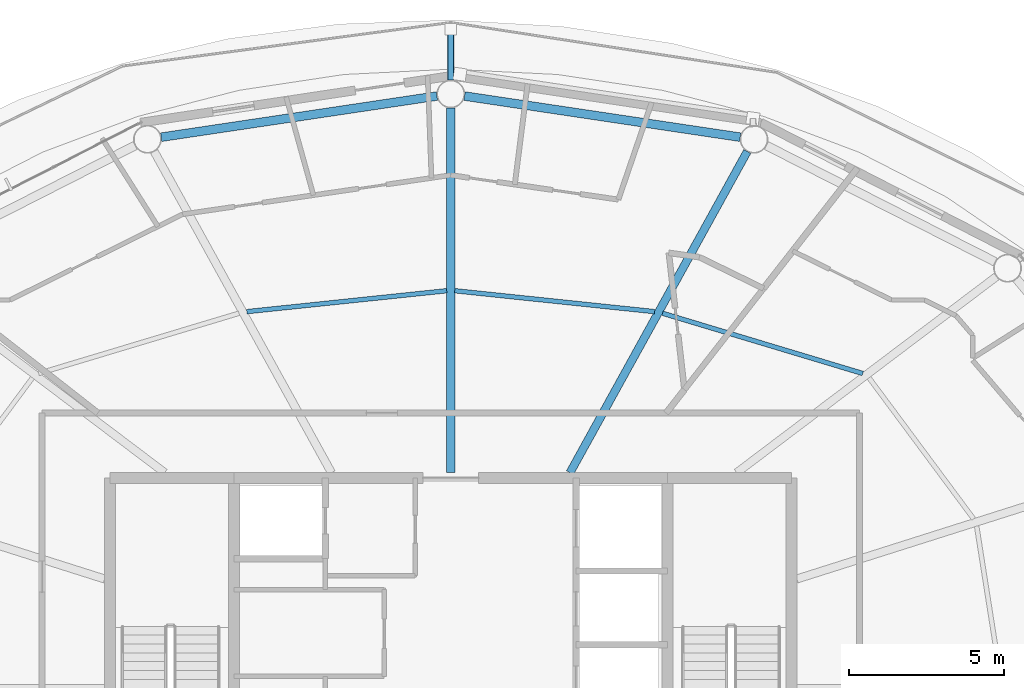
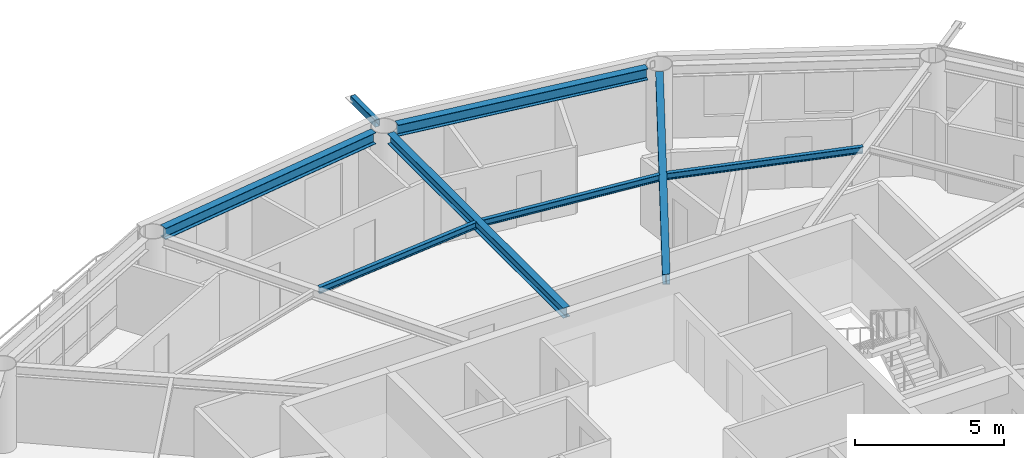
# One storey, part 10 of 22: 7 beams, 1 member.
"""IFC4 building model written with IfcOpenShell, lengths in metres."""

from ifc_helpers import new_model, si_unit, direction, frame, origin, origin_2d, place, context, subcontext, project, spatial, hollow_rectangle, i_section, extrude, material, material_profile, profile_set, type_object, element, save


model = new_model("IFC4")

# Units and contexts
model_context = context("Model", 3, precision=1e-05, world=origin(), true_north=direction((0.0, 1.0)))
body_context = subcontext(model_context, "Body", "Model", "MODEL_VIEW")
ifc_project = project(units=[si_unit("LENGTHUNIT", "METRE"), si_unit("AREAUNIT", "SQUARE_METRE"), si_unit("VOLUMEUNIT", "CUBIC_METRE"), si_unit("PLANEANGLEUNIT", "RADIAN"), si_unit("MASSUNIT", "GRAM", prefix="KILO")], contexts=[model_context])

# Site, building, storey
site_placement = place(None, origin())
site = spatial("IfcSite", under=ifc_project, at=site_placement, CompositionType="ELEMENT")
building_placement = place(site_placement, origin())
building = spatial("IfcBuilding", under=site, at=building_placement, Name="Sarneth Arch Tower", CompositionType="ELEMENT")
storey_placement = place(building_placement, frame((0.0, 0.0, 305.39990234375)))
storey = spatial("IfcBuildingStorey", under=building, at=storey_placement, Name="L79", CompositionType="ELEMENT", Elevation=305.39990234375)

# Beams
ifc_material_1 = material(Name="Steel S355", Category="steel")
ifc_material_profile_1 = material_profile(ifc_material_1, i_section(OverallWidth=0.14794921875, OverallDepth=0.26611328125, WebThickness=0.007568359375, FlangeThickness=0.012939453125, FilletRadius=0.012939453125, at=origin_2d()), Name="W250x44.8")
ifc_profile_set_1 = profile_set([ifc_material_profile_1], Name="Steel S355")
beam_type_1 = type_object("IfcBeamType", Name="BM-JOIST-250", PredefinedType="JOIST", material=ifc_profile_set_1)
beam_1_placement = place(storey_placement, frame((61.301025390625, 52.177490234375, 3.237060546875), z_axis=(-0.95760703602, 0.288077705776, 0.0), x_axis=(-0.288077705776, -0.95760703602, 0.0)))
element("IfcBeam", 1, at=beam_1_placement, inside=storey, type_object=beam_type_1, Name="L79 Secondary floor joist 03", PredefinedType="JOIST", context=body_context, shape_type="SweptSolid", body=[
    extrude(i_section(OverallWidth=0.14794921875, OverallDepth=0.26611328125, WebThickness=0.007568359375, FlangeThickness=0.012939453125, FilletRadius=0.012939453125, at=origin_2d()), origin(), (0.0, 0.0, 1.0), 6.7509765625),
])
for number, where, z_axis, x_axis, name in (
    (2, (54.582275390625, 54.17333984375, 3.237060546875), (-0.994564879221, 0.104118687178, 0.0), (-0.104118687178, -0.994564879221, 0.0), "L79 Secondary floor joist 04"),
    (3, (47.87060546875, 54.848876953125, 3.237060546875), (-0.994564879221, -0.104118687178, 0.0), (0.104118687178, -0.994564879221, 0.0), "L79 Secondary floor joist 05"),
):
    element("IfcBeam", number, at=place(storey_placement, frame(where, z_axis=z_axis, x_axis=x_axis)), inside=storey, type_object=beam_type_1, Name=name, PredefinedType="JOIST", context=body_context, shape_type="SweptSolid", body=[
        extrude(i_section(OverallWidth=0.14794921875, OverallDepth=0.26611328125, WebThickness=0.007568359375, FlangeThickness=0.012939453125, FilletRadius=0.012939453125, at=origin_2d()), origin(), (0.0, 0.0, 1.0), 6.488037109375),
    ])
ifc_material_2 = material(Name="Steel S355", Category="steel")
ifc_material_profile_2 = material_profile(ifc_material_2, i_section(OverallWidth=0.260009765625, OverallDepth=0.4150390625, WebThickness=0.010009765625, FlangeThickness=0.016845703125, FilletRadius=0.01611328125, at=origin_2d()), Name="W410x100")
ifc_profile_set_2 = profile_set([ifc_material_profile_2], Name="Steel S355")
beam_type_2 = type_object("IfcBeamType", Name="BM-RAD-410A", PredefinedType="BEAM", material=ifc_profile_set_2)
beam_2_placement = place(storey_placement, frame((51.849853515625, 48.97509765625, 3.16259765625), z_axis=(0.483229367873, 0.875493790969, 0.0), x_axis=(-0.875493790969, 0.483229367873, 0.0)))
element("IfcBeam", 4, at=beam_2_placement, inside=storey, type_object=beam_type_2, Name="L79 Radial floor girder 04", PredefinedType="BEAM", context=body_context, shape_type="SweptSolid", body=[
    extrude(i_section(OverallWidth=0.260009765625, OverallDepth=0.4150390625, WebThickness=0.010009765625, FlangeThickness=0.016845703125, FilletRadius=0.01611328125, at=origin_2d()), origin(), (0.0, 0.0, 1.0), 11.843994140625),
])
beam_3_placement = place(storey_placement, frame((48.0, 48.97509765625, 3.16259765625), z_axis=(0.0, 1.0, 0.0), x_axis=(-1.0, 0.0, 0.0)))
element("IfcBeam", 5, at=beam_3_placement, inside=storey, type_object=beam_type_2, Name="L79 Radial floor girder 05", PredefinedType="BEAM", context=body_context, shape_type="SweptSolid", body=[
    extrude(i_section(OverallWidth=0.260009765625, OverallDepth=0.4150390625, WebThickness=0.010009765625, FlangeThickness=0.016845703125, FilletRadius=0.01611328125, at=origin_2d()), origin(), (0.0, 0.0, 1.0), 11.77490234375),
])
ifc_material_3 = material(Name="Steel S355", Category="steel")
ifc_material_profile_3 = material_profile(ifc_material_3, i_section(OverallWidth=0.280029296875, OverallDepth=0.462890625, WebThickness=0.0107421875, FlangeThickness=0.017333984375, FilletRadius=0.01806640625, at=origin_2d()), Name="W460x113")
ifc_profile_set_3 = profile_set([ifc_material_profile_3], Name="Steel S355")
beam_type_3 = type_object("IfcBeamType", Name="BM-RAD-460A", PredefinedType="BEAM", material=ifc_profile_set_3)
for number, where, z_axis, x_axis, name in (
    (6, (57.345703125, 59.804931640625, 3.138671875), (-0.989041765772, 0.147635990052, 0.0), (-0.147635990052, -0.989041765772, 0.0), "L79 Perimeter spandrel beam 04"),
    (7, (47.554931640625, 61.133544921875, 3.138671875), (-0.989041765772, -0.147635990052, 0.0), (0.147635990052, -0.989041765772, 0.0), "L79 Perimeter spandrel beam 05"),
):
    element("IfcBeam", number, at=place(storey_placement, frame(where, z_axis=z_axis, x_axis=x_axis)), inside=storey, type_object=beam_type_3, Name=name, PredefinedType="BEAM", context=body_context, shape_type="SweptSolid", body=[
        extrude(i_section(OverallWidth=0.280029296875, OverallDepth=0.462890625, WebThickness=0.0107421875, FlangeThickness=0.017333984375, FilletRadius=0.01806640625, at=origin_2d()), origin(), (0.0, 0.0, 1.0), 8.999267578125),
    ])

# Member
ifc_material_4 = material(Name="Steel S355", Category="steel")
ifc_material_profile_4 = material_profile(ifc_material_4, hollow_rectangle(XDim=0.199951171875, YDim=0.300048828125, WallThickness=0.012451171875, InnerFilletRadius=0.018798828125, OuterFilletRadius=0.03125, at=origin_2d()), Name="RHS300x200x12.5")
ifc_profile_set_4 = profile_set([ifc_material_profile_4], Name="Steel S355")
member_type = type_object("IfcMemberType", Name="MEM-CANT-STRUT", PredefinedType="STRUT", material=ifc_profile_set_4)
member_placement = place(storey_placement, frame((48.0, 61.64990234375, 3.210205078125), z_axis=(0.0, 1.0, 0.0), x_axis=(-1.0, 0.0, 0.0)))
element("IfcMember", 8, at=member_placement, inside=storey, type_object=member_type, Name="L79 Balcony cantilever bracket 05", PredefinedType="STRUT", context=body_context, shape_type="SweptSolid", body=[
    extrude(hollow_rectangle(XDim=0.199951171875, YDim=0.300048828125, WallThickness=0.012451171875, InnerFilletRadius=0.018798828125, OuterFilletRadius=0.03125, at=origin_2d()), origin(), (0.0, 0.0, 1.0), 1.636962890625),
])

save(model, "model.ifc")
